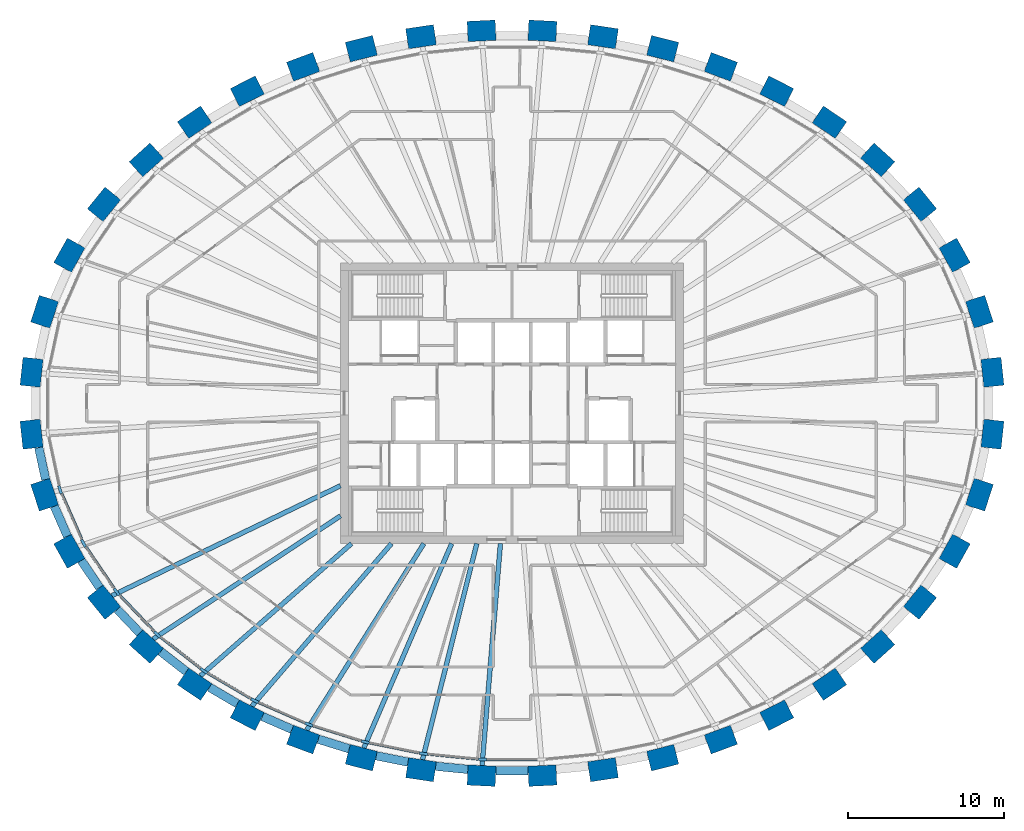
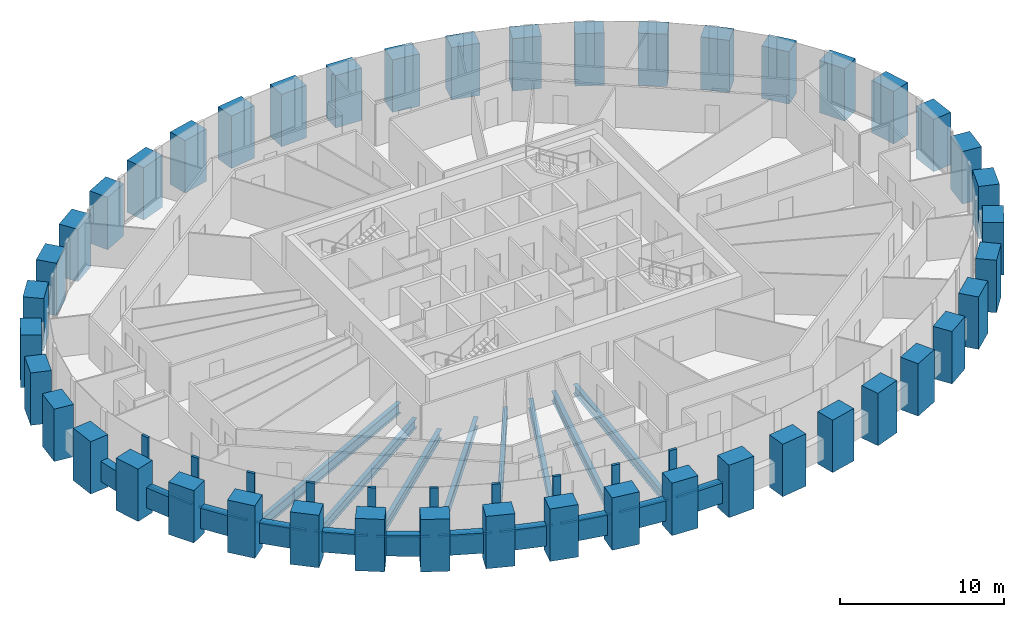
# One storey, part 1 of 12: 44 columns, 20 members, 19 beams, 1 element without a shape of its own.
"""IFC4 building model written with IfcOpenShell, lengths in metres."""

from ifc_helpers import new_model, si_unit, direction, frame, origin, origin_2d, place, context, subcontext, project, spatial, rectangle, i_section, extrude, source, transform, mapped, material, material_profile, profile_set, type_object, element, aggregate, save


model = new_model("IFC4")

# Units and contexts
model_context = context("Model", 3, precision=1e-05, world=origin(), true_north=direction((0.0, 1.0)))
body_context = subcontext(model_context, "Body", "Model", "MODEL_VIEW")
ifc_project = project(units=[si_unit("LENGTHUNIT", "METRE"), si_unit("AREAUNIT", "SQUARE_METRE"), si_unit("VOLUMEUNIT", "CUBIC_METRE"), si_unit("PLANEANGLEUNIT", "RADIAN"), si_unit("MASSUNIT", "GRAM", prefix="KILO")], contexts=[model_context])

# Site, building, storey
site_placement = place(None, origin())
site = spatial("IfcSite", under=ifc_project, at=site_placement, CompositionType="ELEMENT")
building_placement = place(site_placement, origin())
building = spatial("IfcBuilding", under=site, at=building_placement, Name="Embergate Tower", CompositionType="ELEMENT")
storey_placement = place(building_placement, frame((0.0, 0.0, 293.5)))
storey = spatial("IfcBuildingStorey", under=building, at=storey_placement, Name="L68", CompositionType="ELEMENT", Elevation=293.5)

# Columns
ifc_material_1 = material(Name="Concrete C50", Category="concrete")
ifc_material_profile_1 = material_profile(ifc_material_1, rectangle(XDim=1.300048828125, YDim=1.800048828125, at=origin_2d()), Name="RC 1300x1800")
ifc_profile_set_1 = profile_set([ifc_material_profile_1], Name="Concrete C50")
column_type = type_object("IfcColumnType", Name="Ring column RC 1300x1800 C50", PredefinedType="COLUMN", material=ifc_profile_set_1)
shared_shape_1 = source(origin(), body_context, "Body", "SweptSolid", [
    extrude(rectangle(XDim=1.300048828125, YDim=1.800048828125, at=origin_2d()), origin(), (0.0, 0.0, 1.0), 3.89990234375),
])
for number, where, z_axis, x_axis, name in (
    (1, (30.80908203125, 1.985107421875, -1.39990234375), (0.0, 0.0, 1.0), (0.99428589498, 0.106749983816, 0.0), "COL-L68-00"),
    (2, (29.97412109375, 5.864013671875, -1.39990234375), (0.0, 0.0, 1.0), (0.950754033697, 0.309946394413, 0.0), "COL-L68-01"),
    (3, (28.384033203125, 9.489990234375, -1.39990234375), (0.0, 0.0, 1.0), (0.873500465855, 0.486823311018, 0.0), "COL-L68-02"),
    (4, (26.1640625, 12.7548828125, -1.39990234375), (0.0, 0.0, 1.0), (0.775925311702, 0.630824786022, 0.0), "COL-L68-03"),
    (5, (23.447998046875, 15.60302734375, -1.39990234375), (0.0, 0.0, 1.0), (0.669221393633, 0.743063070206, 0.0), "COL-L68-04"),
    (6, (20.35302734375, 18.01904296875, -1.39990234375), (0.0, 0.0, 1.0), (0.560393279442, 0.828226643109, 0.0), "COL-L68-05"),
    (7, (16.97607421875, 20.0048828125, -1.39990234375), (0.0, 0.0, 1.0), (0.453010512651, 0.891505174089, 0.0), "COL-L68-06"),
    (8, (13.39208984375, 21.572021484375, -1.39990234375), (0.0, 0.0, 1.0), (0.348343015724, 0.93736713373, 0.0), "COL-L68-07"),
    (9, (9.662109375, 22.73388671875, -1.39990234375), (0.0, 0.0, 1.0), (0.24650851817, 0.969140624713, 0.0), "COL-L68-08"),
    (10, (5.833984375, 23.501953125, -1.39990234375), (0.0, 0.0, 1.0), (0.146929011949, 0.989147039346, 0.0), "COL-L68-09"),
    (11, (1.950927734375, 23.883056640625, -1.39990234375), (0.0, 0.0, 1.0), (0.048814904854, 0.998807841912, 0.0), "COL-L68-10"),
    (12, (-1.950927734375, 23.883056640625, -1.39990234375), (0.0, 0.0, 1.0), (-0.048814904854, 0.998807841912, 0.0), "COL-L68-11"),
    (13, (-5.833984375, 23.501953125, -1.39990234375), (0.0, 0.0, 1.0), (-0.146929011949, 0.989147039346, 0.0), "COL-L68-12"),
    (14, (-9.662109375, 22.73388671875, -1.39990234375), (0.0, 0.0, 1.0), (-0.24650851817, 0.969140624713, 0.0), "COL-L68-13"),
    (15, (-13.39208984375, 21.572021484375, -1.39990234375), (0.0, 0.0, 1.0), (-0.348343015724, 0.93736713373, 0.0), "COL-L68-14"),
    (16, (-16.97607421875, 20.0048828125, -1.39990234375), (0.0, 0.0, 1.0), (-0.453010512651, 0.891505174089, 0.0), "COL-L68-15"),
    (17, (-20.35302734375, 18.01904296875, -1.39990234375), (0.0, 0.0, 1.0), (-0.560393279442, 0.828226643109, 0.0), "COL-L68-16"),
    (18, (-23.447998046875, 15.60302734375, -1.39990234375), (0.0, 0.0, 1.0), (-0.669221393633, 0.743063070206, 0.0), "COL-L68-17"),
    (19, (-26.1640625, 12.7548828125, -1.39990234375), (0.0, 0.0, 1.0), (-0.775925311702, 0.630824786022, 0.0), "COL-L68-18"),
    (20, (-28.384033203125, 9.489990234375, -1.39990234375), (0.0, 0.0, 1.0), (-0.873500465855, 0.486823311018, 0.0), "COL-L68-19"),
    (21, (-29.97412109375, 5.864013671875, -1.39990234375), (0.0, 0.0, 1.0), (-0.950754033697, 0.309946394413, 0.0), "COL-L68-20"),
    (22, (-30.80908203125, 1.985107421875, -1.39990234375), (0.0, 0.0, 1.0), (-0.99428589498, 0.106749983816, 0.0), "COL-L68-21"),
    (23, (-30.80908203125, -1.985107421875, -1.39990234375), (0.0, 0.0, 1.0), (-0.99428589498, -0.106749983816, 0.0), "COL-L68-22"),
    (24, (-29.97412109375, -5.864013671875, -1.39990234375), (0.0, 0.0, 1.0), (-0.950754033697, -0.309946394413, 0.0), "COL-L68-23"),
    (25, (-28.384033203125, -9.489990234375, -1.39990234375), (0.0, 0.0, 1.0), (-0.873500465855, -0.486823311018, 0.0), "COL-L68-24"),
    (26, (-26.1640625, -12.7548828125, -1.39990234375), (0.0, 0.0, 1.0), (-0.775925311702, -0.630824786022, 0.0), "COL-L68-25"),
    (27, (-23.447998046875, -15.60302734375, -1.39990234375), (0.0, 0.0, 1.0), (-0.669221393633, -0.743063070206, 0.0), "COL-L68-26"),
    (28, (-20.35302734375, -18.01904296875, -1.39990234375), (0.0, 0.0, 1.0), (-0.560393279442, -0.828226643109, 0.0), "COL-L68-27"),
    (29, (-16.97607421875, -20.0048828125, -1.39990234375), (0.0, 0.0, 1.0), (-0.453010512651, -0.891505174089, 0.0), "COL-L68-28"),
    (30, (-13.39208984375, -21.572021484375, -1.39990234375), (0.0, 0.0, 1.0), (-0.348343015724, -0.93736713373, 0.0), "COL-L68-29"),
    (31, (-9.662109375, -22.73388671875, -1.39990234375), (0.0, 0.0, 1.0), (-0.24650851817, -0.969140624713, 0.0), "COL-L68-30"),
    (32, (-5.833984375, -23.501953125, -1.39990234375), (0.0, 0.0, 1.0), (-0.146929011949, -0.989147039346, 0.0), "COL-L68-31"),
    (33, (-1.950927734375, -23.883056640625, -1.39990234375), (0.0, 0.0, 1.0), (-0.048814904854, -0.998807841912, 0.0), "COL-L68-32"),
    (34, (1.950927734375, -23.883056640625, -1.39990234375), (0.0, 0.0, 1.0), (0.048814904854, -0.998807841912, 0.0), "COL-L68-33"),
    (35, (5.833984375, -23.501953125, -1.39990234375), (0.0, 0.0, 1.0), (0.146929011949, -0.989147039346, 0.0), "COL-L68-34"),
    (36, (9.662109375, -22.73388671875, -1.39990234375), (0.0, 0.0, 1.0), (0.24650851817, -0.969140624713, 0.0), "COL-L68-35"),
    (37, (13.39208984375, -21.572021484375, -1.39990234375), (0.0, 0.0, 1.0), (0.348343015724, -0.93736713373, 0.0), "COL-L68-36"),
    (38, (16.97607421875, -20.0048828125, -1.39990234375), (0.0, 0.0, 1.0), (0.453010512651, -0.891505174089, 0.0), "COL-L68-37"),
    (39, (20.35302734375, -18.01904296875, -1.39990234375), (0.0, 0.0, 1.0), (0.560393279442, -0.828226643109, 0.0), "COL-L68-38"),
    (40, (23.447998046875, -15.60302734375, -1.39990234375), (0.0, 0.0, 1.0), (0.669221393633, -0.743063070206, 0.0), "COL-L68-39"),
    (41, (26.1640625, -12.7548828125, -1.39990234375), (0.0, 0.0, 1.0), (0.775925311702, -0.630824786022, 0.0), "COL-L68-40"),
    (42, (28.384033203125, -9.489990234375, -1.39990234375), (0.0, 0.0, 1.0), (0.873500465855, -0.486823311018, 0.0), "COL-L68-41"),
    (43, (29.97412109375, -5.864013671875, -1.39990234375), (0.0, 0.0, 1.0), (0.950754033697, -0.309946394413, 0.0), "COL-L68-42"),
    (44, (30.80908203125, -1.985107421875, -1.39990234375), (0.0, 0.0, 1.0), (0.99428589498, -0.106749983816, 0.0), "COL-L68-43"),
):
    element("IfcColumn", number, at=place(storey_placement, frame(where, z_axis=z_axis, x_axis=x_axis)), inside=storey, type_object=column_type, Name=name, PredefinedType="COLUMN", context=body_context, shape_type="MappedRepresentation", body=[
        mapped(shared_shape_1, transform((0.0, 0.0, 0.0))),
    ])

# Beams
ifc_material_2 = material(Name="Steel Q355B", Category="steel")
ifc_material_profile_2 = material_profile(ifc_material_2, i_section(OverallWidth=0.300048828125, OverallDepth=0.699951171875, WebThickness=0.012939453125, FlangeThickness=0.02392578125, FilletRadius=0.01806640625, at=origin_2d()), Name="HN 700x300x13x24")
ifc_profile_set_2 = profile_set([ifc_material_profile_2], Name="Steel Q355 grade B")
beam_type_1 = type_object("IfcBeamType", Name="Radial girder HN 700x300x13x24", PredefinedType="BEAM", material=ifc_profile_set_2)
shared_shape_2 = source(origin(), body_context, "Body", "SweptSolid", [
    extrude(i_section(OverallWidth=0.300048828125, OverallDepth=0.699951171875, WebThickness=0.012939453125, FlangeThickness=0.02392578125, FilletRadius=0.01806640625, at=origin_2d()), origin(), (0.0, 0.0, 1.0), 13.742431640625),
])
beam_1_placement = place(storey_placement, frame((-16.681884765625, -19.426025390625, -0.550048828125), z_axis=(0.651474345674, 0.758670664339, 0.0), x_axis=(-0.758670664339, 0.651474345674, 0.0)))
element("IfcBeam", 45, at=beam_1_placement, inside=storey, type_object=beam_type_1, Name="GIR-L68-28", PredefinedType="BEAM", context=body_context, shape_type="MappedRepresentation", body=[
    mapped(shared_shape_2, transform((0.0, 0.0, 0.0))),
])
ifc_material_profile_3 = material_profile(ifc_material_1, rectangle(XDim=0.550048828125, YDim=1.5, at=origin_2d()), Name="RC 550x1500")
ifc_profile_set_3 = profile_set([ifc_material_profile_3], Name="Concrete C50")
beam_type_2 = type_object("IfcBeamType", Name="Spandrel beam RC 550x1500 C50", PredefinedType="BEAM", material=ifc_profile_set_3)
shared_shape_3 = source(origin(), body_context, "Body", "SweptSolid", [
    extrude(rectangle(XDim=0.550048828125, YDim=1.5, at=origin_2d()), origin(), (0.0, 0.0, 1.0), 2.10107421875),
])
beam_2_placement = place(storey_placement, frame((-30.346923828125, -2.841064453125, 0.0), z_axis=(0.210330547493, -0.977630329312, 0.0), x_axis=(0.977630329312, 0.210330547493, 0.0)))
element("IfcBeam", 46, at=beam_2_placement, inside=storey, type_object=beam_type_2, Name="SPN-L68-22", PredefinedType="BEAM", context=body_context, shape_type="MappedRepresentation", body=[
    mapped(shared_shape_3, transform((0.0, 0.0, 0.0))),
])
shared_shape_4 = source(origin(), body_context, "Body", "SweptSolid", [
    extrude(rectangle(XDim=0.550048828125, YDim=1.5, at=origin_2d()), origin(), (0.0, 0.0, 1.0), 2.097900390625),
])
beam_3_placement = place(storey_placement, frame((-29.35107421875, -6.60791015625, 0.0), z_axis=(0.401825860592, -0.91571610107, 0.0), x_axis=(0.91571610107, 0.401825860592, 0.0)))
element("IfcBeam", 47, at=beam_3_placement, inside=storey, type_object=beam_type_2, Name="SPN-L68-23", PredefinedType="BEAM", context=body_context, shape_type="MappedRepresentation", body=[
    mapped(shared_shape_4, transform((0.0, 0.0, 0.0))),
])
shared_shape_5 = source(origin(), body_context, "Body", "SweptSolid", [
    extrude(rectangle(XDim=0.550048828125, YDim=1.5, at=origin_2d()), origin(), (0.0, 0.0, 1.0), 2.09033203125),
])
beam_4_placement = place(storey_placement, frame((-27.618896484375, -10.093994140625, 0.0), z_axis=(0.562009695033, -0.827130644269, 0.0), x_axis=(0.827130644269, 0.562009695033, 0.0)))
element("IfcBeam", 48, at=beam_4_placement, inside=storey, type_object=beam_type_2, Name="SPN-L68-24", PredefinedType="BEAM", context=body_context, shape_type="MappedRepresentation", body=[
    mapped(shared_shape_5, transform((0.0, 0.0, 0.0))),
])
shared_shape_6 = source(origin(), body_context, "Body", "SweptSolid", [
    extrude(rectangle(XDim=0.550048828125, YDim=1.5, at=origin_2d()), origin(), (0.0, 0.0, 1.0), 2.08447265625),
])
beam_5_placement = place(storey_placement, frame((-25.31298828125, -13.222900390625, 0.0), z_axis=(0.690339235394, -0.72348582576, 0.0), x_axis=(0.72348582576, 0.690339235394, 0.0)))
element("IfcBeam", 49, at=beam_5_placement, inside=storey, type_object=beam_type_2, Name="SPN-L68-25", PredefinedType="BEAM", context=body_context, shape_type="MappedRepresentation", body=[
    mapped(shared_shape_6, transform((0.0, 0.0, 0.0))),
])
shared_shape_7 = source(origin(), body_context, "Body", "SweptSolid", [
    extrude(rectangle(XDim=0.550048828125, YDim=1.5, at=origin_2d()), origin(), (0.0, 0.0, 1.0), 2.0791015625),
])
beam_6_placement = place(storey_placement, frame((-22.527099609375, -15.925048828125, 0.0), z_axis=(0.788383845435, -0.615183641084, 0.0), x_axis=(0.615183641084, 0.788383845435, 0.0)))
element("IfcBeam", 50, at=beam_6_placement, inside=storey, type_object=beam_type_2, Name="SPN-L68-26", PredefinedType="BEAM", context=body_context, shape_type="MappedRepresentation", body=[
    mapped(shared_shape_7, transform((0.0, 0.0, 0.0))),
])
shared_shape_8 = source(origin(), body_context, "Body", "SweptSolid", [
    extrude(rectangle(XDim=0.550048828125, YDim=1.5, at=origin_2d()), origin(), (0.0, 0.0, 1.0), 2.074462890625),
])
beam_7_placement = place(storey_placement, frame((-19.39892578125, -18.216064453125, 0.0), z_axis=(0.861864620017, -0.507138419726, 0.0), x_axis=(0.507138419726, 0.861864620017, 0.0)))
element("IfcBeam", 51, at=beam_7_placement, inside=storey, type_object=beam_type_2, Name="SPN-L68-27", PredefinedType="BEAM", context=body_context, shape_type="MappedRepresentation", body=[
    mapped(shared_shape_8, transform((0.0, 0.0, 0.0))),
])
shared_shape_9 = source(origin(), body_context, "Body", "SweptSolid", [
    extrude(rectangle(XDim=0.550048828125, YDim=1.5, at=origin_2d()), origin(), (0.0, 0.0, 1.0), 2.073486328125),
])
beam_8_placement = place(storey_placement, frame((-16.008056640625, -20.0859375, 0.0), z_axis=(0.91637608024, -0.400318472673, 0.0), x_axis=(0.400318472673, 0.91637608024, 0.0)))
element("IfcBeam", 52, at=beam_8_placement, inside=storey, type_object=beam_type_2, Name="SPN-L68-28", PredefinedType="BEAM", context=body_context, shape_type="MappedRepresentation", body=[
    mapped(shared_shape_9, transform((0.0, 0.0, 0.0))),
])
shared_shape_10 = source(origin(), body_context, "Body", "SweptSolid", [
    extrude(rectangle(XDim=0.550048828125, YDim=1.5, at=origin_2d()), origin(), (0.0, 0.0, 1.0), 2.07080078125),
])
beam_9_placement = place(storey_placement, frame((-12.422119140625, -21.544921875, 0.0), z_axis=(0.954735561173, -0.297455892917, 0.0), x_axis=(0.297455892917, 0.954735561173, 0.0)))
element("IfcBeam", 53, at=beam_9_placement, inside=storey, type_object=beam_type_2, Name="SPN-L68-29", PredefinedType="BEAM", context=body_context, shape_type="MappedRepresentation", body=[
    mapped(shared_shape_10, transform((0.0, 0.0, 0.0))),
])
shared_shape_11 = source(origin(), body_context, "Body", "SweptSolid", [
    extrude(rectangle(XDim=0.550048828125, YDim=1.5, at=origin_2d()), origin(), (0.0, 0.0, 1.0), 2.070556640625),
])
beam_10_placement = place(storey_placement, frame((-8.700927734375, -22.60595703125, 0.0), z_axis=(0.980398860457, -0.197023030165, 0.0), x_axis=(0.197023030165, 0.980398860457, 0.0)))
element("IfcBeam", 54, at=beam_10_placement, inside=storey, type_object=beam_type_2, Name="SPN-L68-30", PredefinedType="BEAM", context=body_context, shape_type="MappedRepresentation", body=[
    mapped(shared_shape_11, transform((0.0, 0.0, 0.0))),
])
shared_shape_12 = source(origin(), body_context, "Body", "SweptSolid", [
    extrude(rectangle(XDim=0.550048828125, YDim=1.5, at=origin_2d()), origin(), (0.0, 0.0, 1.0), 2.06884765625),
])
beam_11_placement = place(storey_placement, frame((-4.89111328125, -23.279052734375, 0.0), z_axis=(0.995226952233, -0.097587466149, 0.0), x_axis=(0.097587466149, 0.995226952233, 0.0)))
element("IfcBeam", 55, at=beam_11_placement, inside=storey, type_object=beam_type_2, Name="SPN-L68-31", PredefinedType="BEAM", context=body_context, shape_type="MappedRepresentation", body=[
    mapped(shared_shape_12, transform((0.0, 0.0, 0.0))),
])
shared_shape_13 = source(origin(), body_context, "Body", "SweptSolid", [
    extrude(rectangle(XDim=0.550048828125, YDim=1.5, at=origin_2d()), origin(), (0.0, 0.0, 1.0), 2.06982421875),
])
beam_12_placement = place(storey_placement, frame((-1.034912109375, -23.569091796875, 0.0), z_axis=(1.0, 0.0, 0.0), x_axis=(0.0, 1.0, 0.0)))
element("IfcBeam", 56, at=beam_12_placement, inside=storey, type_object=beam_type_2, Name="SPN-L68-32", PredefinedType="BEAM", context=body_context, shape_type="MappedRepresentation", body=[
    mapped(shared_shape_13, transform((0.0, 0.0, 0.0))),
])
ifc_material_profile_4 = material_profile(ifc_material_2, i_section(OverallWidth=0.300048828125, OverallDepth=0.800048828125, WebThickness=0.013916015625, FlangeThickness=0.02587890625, FilletRadius=0.028076171875, at=origin_2d()), Name="HN 800x300x14x26")
ifc_profile_set_4 = profile_set([ifc_material_profile_4], Name="Steel Q355 grade B")
beam_type_3 = type_object("IfcBeamType", Name="Radial girder HN 800x300x14x26", PredefinedType="BEAM", material=ifc_profile_set_4)
shared_shape_14 = source(origin(), body_context, "Body", "SweptSolid", [
    extrude(i_section(OverallWidth=0.300048828125, OverallDepth=0.800048828125, WebThickness=0.013916015625, FlangeThickness=0.02587890625, FilletRadius=0.028076171875, at=origin_2d()), origin(), (0.0, 0.0, 1.0), 16.268310546875),
])
beam_13_placement = place(storey_placement, frame((-25.659912109375, -12.344970703125, -0.60009765625), z_axis=(0.901133717561, 0.433541258791, 0.0), x_axis=(-0.433541258791, 0.901133717561, 0.0)))
element("IfcBeam", 57, at=beam_13_placement, inside=storey, type_object=beam_type_3, Name="GIR-L68-25", PredefinedType="BEAM", context=body_context, shape_type="MappedRepresentation", body=[
    mapped(shared_shape_14, transform((0.0, 0.0, 0.0))),
])
shared_shape_15 = source(origin(), body_context, "Body", "SweptSolid", [
    extrude(i_section(OverallWidth=0.300048828125, OverallDepth=0.699951171875, WebThickness=0.012939453125, FlangeThickness=0.02392578125, FilletRadius=0.01806640625, at=origin_2d()), origin(), (0.0, 0.0, 1.0), 14.3740234375),
])
beam_14_placement = place(storey_placement, frame((-23.012939453125, -15.1201171875, -0.550048828125), z_axis=(0.835742226811, 0.549121963069, 0.0), x_axis=(-0.549121963069, 0.835742226811, 0.0)))
element("IfcBeam", 58, at=beam_14_placement, inside=storey, type_object=beam_type_1, Name="GIR-L68-26", PredefinedType="BEAM", context=body_context, shape_type="MappedRepresentation", body=[
    mapped(shared_shape_15, transform((0.0, 0.0, 0.0))),
])
shared_shape_16 = source(origin(), body_context, "Body", "SweptSolid", [
    extrude(i_section(OverallWidth=0.300048828125, OverallDepth=0.699951171875, WebThickness=0.012939453125, FlangeThickness=0.02392578125, FilletRadius=0.01806640625, at=origin_2d()), origin(), (0.0, 0.0, 1.0), 12.88330078125),
])
beam_15_placement = place(storey_placement, frame((-19.989013671875, -17.48095703125, -0.550048828125), z_axis=(0.752760969036, 0.658293949157, 0.0), x_axis=(-0.658293949157, 0.752760969036, 0.0)))
element("IfcBeam", 59, at=beam_15_placement, inside=storey, type_object=beam_type_1, Name="GIR-L68-27", PredefinedType="BEAM", context=body_context, shape_type="MappedRepresentation", body=[
    mapped(shared_shape_16, transform((0.0, 0.0, 0.0))),
])
shared_shape_17 = source(origin(), body_context, "Body", "SweptSolid", [
    extrude(i_section(OverallWidth=0.300048828125, OverallDepth=0.699951171875, WebThickness=0.012939453125, FlangeThickness=0.02392578125, FilletRadius=0.01806640625, at=origin_2d()), origin(), (0.0, 0.0, 1.0), 14.126953125),
])
beam_16_placement = place(storey_placement, frame((-13.166015625, -20.962890625, -0.550048828125), z_axis=(0.531886600535, 0.846815590416, 0.0), x_axis=(-0.846815590416, 0.531886600535, 0.0)))
element("IfcBeam", 60, at=beam_16_placement, inside=storey, type_object=beam_type_1, Name="GIR-L68-29", PredefinedType="BEAM", context=body_context, shape_type="MappedRepresentation", body=[
    mapped(shared_shape_17, transform((0.0, 0.0, 0.0))),
])
shared_shape_18 = source(origin(), body_context, "Body", "SweptSolid", [
    extrude(i_section(OverallWidth=0.300048828125, OverallDepth=0.699951171875, WebThickness=0.012939453125, FlangeThickness=0.02392578125, FilletRadius=0.01806640625, at=origin_2d()), origin(), (0.0, 0.0, 1.0), 14.263427734375),
])
beam_17_placement = place(storey_placement, frame((-9.501953125, -22.10400390625, -0.550048828125), z_axis=(0.394929229866, 0.918711545262, 0.0), x_axis=(-0.918711545262, 0.394929229866, 0.0)))
element("IfcBeam", 61, at=beam_17_placement, inside=storey, type_object=beam_type_1, Name="GIR-L68-30", PredefinedType="BEAM", context=body_context, shape_type="MappedRepresentation", body=[
    mapped(shared_shape_18, transform((0.0, 0.0, 0.0))),
])
shared_shape_19 = source(origin(), body_context, "Body", "SweptSolid", [
    extrude(i_section(OverallWidth=0.300048828125, OverallDepth=0.699951171875, WebThickness=0.012939453125, FlangeThickness=0.02392578125, FilletRadius=0.01806640625, at=origin_2d()), origin(), (0.0, 0.0, 1.0), 14.288818359375),
])
beam_18_placement = place(storey_placement, frame((-5.738037109375, -22.85888671875, -0.550048828125), z_axis=(0.243476248961, 0.969906859545, 0.0), x_axis=(-0.969906859545, 0.243476248961, 0.0)))
element("IfcBeam", 62, at=beam_18_placement, inside=storey, type_object=beam_type_1, Name="GIR-L68-31", PredefinedType="BEAM", context=body_context, shape_type="MappedRepresentation", body=[
    mapped(shared_shape_19, transform((0.0, 0.0, 0.0))),
])
shared_shape_20 = source(origin(), body_context, "Body", "SweptSolid", [
    extrude(i_section(OverallWidth=0.300048828125, OverallDepth=0.699951171875, WebThickness=0.012939453125, FlangeThickness=0.02392578125, FilletRadius=0.01806640625, at=origin_2d()), origin(), (0.0, 0.0, 1.0), 14.282470703125),
])
beam_19_placement = place(storey_placement, frame((-1.9189453125, -23.23388671875, -0.550048828125), z_axis=(0.082340957712, 0.996604217673, 0.0), x_axis=(-0.996604217673, 0.082340957712, 0.0)))
element("IfcBeam", 63, at=beam_19_placement, inside=storey, type_object=beam_type_1, Name="GIR-L68-32", PredefinedType="BEAM", context=body_context, shape_type="MappedRepresentation", body=[
    mapped(shared_shape_20, transform((0.0, 0.0, 0.0))),
])

# Curtain wall, members
ifc_material_3 = material(Name="Aluminium and glass", Category="aluminium")
curtain_wall_type = type_object("IfcCurtainWallType", Name="Recessed office glazing", PredefinedType="NOTDEFINED", material=ifc_material_3)
curtain_wall_placement = place(storey_placement, origin())
curtain_wall = element("IfcCurtainWall", 64, at=curtain_wall_placement, inside=storey, type_object=curtain_wall_type, Name="Recessed office glazing ring", ObjectType="RECESSED OFFICE GLAZING", PredefinedType="USERDEFINED")
ifc_material_4 = material(Name="Aluminium, thermally broken", Category="aluminium")
ifc_material_profile_5 = material_profile(ifc_material_4, rectangle(XDim=0.179931640625, YDim=0.52001953125, at=origin_2d()), Name="AL 520x180")
ifc_profile_set_5 = profile_set([ifc_material_profile_5], Name="Aluminium, thermally broken")
member_type_1 = type_object("IfcMemberType", Name="Office mullion", PredefinedType="MULLION", material=ifc_profile_set_5)
shared_shape_21 = source(origin(), body_context, "Body", "SweptSolid", [
    extrude(rectangle(XDim=0.179931640625, YDim=0.52001953125, at=origin_2d()), origin(), (0.0, 0.0, 1.0), 3.699951171875),
])
member_1_placement = place(storey_placement, frame((-28.985107421875, -5.5419921875, 0.0), z_axis=(0.0, 0.0, 1.0), x_axis=(0.951493502218, 0.307668840212, 0.0)))
member_1 = element("IfcMember", 65, at=member_1_placement, type_object=member_type_1, Name="CW mullion 24", PredefinedType="MULLION", context=body_context, shape_type="MappedRepresentation", body=[
    mapped(shared_shape_21, transform((0.0, 0.0, 0.0))),
])
member_2_placement = place(storey_placement, frame((-27.4755859375, -8.983642578125, 0.0), z_axis=(0.0, 0.0, 1.0), x_axis=(0.87499344622, 0.484134763338, 0.0)))
member_2 = element("IfcMember", 66, at=member_2_placement, type_object=member_type_1, Name="CW mullion 25", PredefinedType="MULLION", context=body_context, shape_type="MappedRepresentation", body=[
    mapped(shared_shape_21, transform((0.0, 0.0, 0.0))),
])
member_3_placement = place(storey_placement, frame((-25.357421875, -12.098388671875, 0.0), z_axis=(0.0, 0.0, 1.0), x_axis=(0.777863789852, 0.628432911643, 0.0)))
member_3 = element("IfcMember", 67, at=member_3_placement, type_object=member_type_1, Name="CW mullion 26", PredefinedType="MULLION", context=body_context, shape_type="MappedRepresentation", body=[
    mapped(shared_shape_21, transform((0.0, 0.0, 0.0))),
])
member_4_placement = place(storey_placement, frame((-22.752197265625, -14.83056640625, 0.0), z_axis=(0.0, 0.0, 1.0), x_axis=(0.671220065284, 0.741258135847, 0.0)))
member_4 = element("IfcMember", 68, at=member_4_placement, type_object=member_type_1, Name="CW mullion 27", PredefinedType="MULLION", context=body_context, shape_type="MappedRepresentation", body=[
    mapped(shared_shape_21, transform((0.0, 0.0, 0.0))),
])
member_5_placement = place(storey_placement, frame((-19.770263671875, -17.15771484375, 0.0), z_axis=(0.0, 0.0, 1.0), x_axis=(0.562211845055, 0.826993253467, 0.0)))
member_5 = element("IfcMember", 69, at=member_5_placement, type_object=member_type_1, Name="CW mullion 28", PredefinedType="MULLION", context=body_context, shape_type="MappedRepresentation", body=[
    mapped(shared_shape_21, transform((0.0, 0.0, 0.0))),
])
member_6_placement = place(storey_placement, frame((-16.504638671875, -19.077880859375, 0.0), z_axis=(0.0, 0.0, 1.0), x_axis=(0.454508271251, 0.890742516872, 0.0)))
member_6 = element("IfcMember", 70, at=member_6_placement, type_object=member_type_1, Name="CW mullion 29", PredefinedType="MULLION", context=body_context, shape_type="MappedRepresentation", body=[
    mapped(shared_shape_21, transform((0.0, 0.0, 0.0))),
])
member_7_placement = place(storey_placement, frame((-13.029541015625, -20.597412109375, 0.0), z_axis=(0.0, 0.0, 1.0), x_axis=(0.349501047589, 0.936935973124, 0.0)))
member_7 = element("IfcMember", 71, at=member_7_placement, type_object=member_type_1, Name="CW mullion 30", PredefinedType="MULLION", context=body_context, shape_type="MappedRepresentation", body=[
    mapped(shared_shape_21, transform((0.0, 0.0, 0.0))),
])
member_8_placement = place(storey_placement, frame((-9.405029296875, -21.72607421875, 0.0), z_axis=(0.0, 0.0, 1.0), x_axis=(0.24731188137, 0.968935928394, 0.0)))
member_8 = element("IfcMember", 72, at=member_8_placement, type_object=member_type_1, Name="CW mullion 31", PredefinedType="MULLION", context=body_context, shape_type="MappedRepresentation", body=[
    mapped(shared_shape_21, transform((0.0, 0.0, 0.0))),
])
member_9_placement = place(storey_placement, frame((-5.68115234375, -22.472900390625, 0.0), z_axis=(0.0, 0.0, 1.0), x_axis=(0.147412382818, 0.989075118174, 0.0)))
member_9 = element("IfcMember", 73, at=member_9_placement, type_object=member_type_1, Name="CW mullion 32", PredefinedType="MULLION", context=body_context, shape_type="MappedRepresentation", body=[
    mapped(shared_shape_21, transform((0.0, 0.0, 0.0))),
])
member_10_placement = place(storey_placement, frame((-1.89990234375, -22.844482421875, 0.0), z_axis=(0.0, 0.0, 1.0), x_axis=(0.048971796621, 0.998800161762, 0.0)))
member_10 = element("IfcMember", 74, at=member_10_placement, type_object=member_type_1, Name="CW mullion 33", PredefinedType="MULLION", context=body_context, shape_type="MappedRepresentation", body=[
    mapped(shared_shape_21, transform((0.0, 0.0, 0.0))),
])
ifc_material_profile_6 = material_profile(ifc_material_4, rectangle(XDim=0.179931640625, YDim=0.14990234375, at=origin_2d()), Name="AL 150x180")
ifc_profile_set_6 = profile_set([ifc_material_profile_6], Name="Aluminium, thermally broken")
member_type_2 = type_object("IfcMemberType", Name="Office sill transom", PredefinedType="USERDEFINED", material=ifc_profile_set_6)
shared_shape_22 = source(origin(), body_context, "Body", "SweptSolid", [
    extrude(rectangle(XDim=0.179931640625, YDim=0.14990234375, at=origin_2d()), origin(), (0.0, 0.0, 1.0), 3.23828125),
])
member_11_placement = place(storey_placement, frame((-28.880859375, -5.780029296875, 0.074951171875), z_axis=(0.401684789579, -0.915777991557, 0.0), x_axis=(0.915777991557, 0.401684789579, 0.0)))
member_11 = element("IfcMember", 75, at=member_11_placement, type_object=member_type_2, Name="CW transom 24.1", ObjectType="TRANSOM", PredefinedType="USERDEFINED", context=body_context, shape_type="MappedRepresentation", body=[
    mapped(shared_shape_22, transform((0.0, 0.0, 0.0))),
])
shared_shape_23 = source(origin(), body_context, "Body", "SweptSolid", [
    extrude(rectangle(XDim=0.179931640625, YDim=0.14990234375, at=origin_2d()), origin(), (0.0, 0.0, 1.0), 3.246826171875),
])
member_12_placement = place(storey_placement, frame((-27.32958984375, -9.19873046875, 0.074951171875), z_axis=(0.562363493995, -0.826890138182, 0.0), x_axis=(0.826890138182, 0.562363493995, 0.0)))
member_12 = element("IfcMember", 76, at=member_12_placement, type_object=member_type_2, Name="CW transom 25.1", ObjectType="TRANSOM", PredefinedType="USERDEFINED", context=body_context, shape_type="MappedRepresentation", body=[
    mapped(shared_shape_23, transform((0.0, 0.0, 0.0))),
])
shared_shape_24 = source(origin(), body_context, "Body", "SweptSolid", [
    extrude(rectangle(XDim=0.179931640625, YDim=0.14990234375, at=origin_2d()), origin(), (0.0, 0.0, 1.0), 3.255126953125),
])
member_13_placement = place(storey_placement, frame((-25.177978515625, -12.28662109375, 0.074951171875), z_axis=(0.690106396673, -0.723707925389, 0.0), x_axis=(0.723707925389, 0.690106396673, 0.0)))
member_13 = element("IfcMember", 77, at=member_13_placement, type_object=member_type_2, Name="CW transom 26.1", ObjectType="TRANSOM", PredefinedType="USERDEFINED", context=body_context, shape_type="MappedRepresentation", body=[
    mapped(shared_shape_24, transform((0.0, 0.0, 0.0))),
])
shared_shape_25 = source(origin(), body_context, "Body", "SweptSolid", [
    extrude(rectangle(XDim=0.179931640625, YDim=0.14990234375, at=origin_2d()), origin(), (0.0, 0.0, 1.0), 3.262451171875),
])
member_14_placement = place(storey_placement, frame((-22.547119140625, -14.990478515625, 0.074951171875), z_axis=(0.788303389344, -0.615286735066, 0.0), x_axis=(0.615286735066, 0.788303389344, 0.0)))
member_14 = element("IfcMember", 78, at=member_14_placement, type_object=member_type_2, Name="CW transom 27.1", ObjectType="TRANSOM", PredefinedType="USERDEFINED", context=body_context, shape_type="MappedRepresentation", body=[
    mapped(shared_shape_25, transform((0.0, 0.0, 0.0))),
])
shared_shape_26 = source(origin(), body_context, "Body", "SweptSolid", [
    extrude(rectangle(XDim=0.179931640625, YDim=0.14990234375, at=origin_2d()), origin(), (0.0, 0.0, 1.0), 3.268310546875),
])
member_15_placement = place(storey_placement, frame((-19.546142578125, -17.28955078125, 0.074951171875), z_axis=(0.862039813646, -0.506840566342, 0.0), x_axis=(0.506840566342, 0.862039813646, 0.0)))
member_15 = element("IfcMember", 79, at=member_15_placement, type_object=member_type_2, Name="CW transom 28.1", ObjectType="TRANSOM", PredefinedType="USERDEFINED", context=body_context, shape_type="MappedRepresentation", body=[
    mapped(shared_shape_26, transform((0.0, 0.0, 0.0))),
])
shared_shape_27 = source(origin(), body_context, "Body", "SweptSolid", [
    extrude(rectangle(XDim=0.179931640625, YDim=0.14990234375, at=origin_2d()), origin(), (0.0, 0.0, 1.0), 3.27294921875),
])
member_16_placement = place(storey_placement, frame((-16.266357421875, -19.181884765625, 0.074951171875), z_axis=(0.91623435737, -0.400642736582, 0.0), x_axis=(0.400642736582, 0.91623435737, 0.0)))
member_16 = element("IfcMember", 80, at=member_16_placement, type_object=member_type_2, Name="CW transom 29.1", ObjectType="TRANSOM", PredefinedType="USERDEFINED", context=body_context, shape_type="MappedRepresentation", body=[
    mapped(shared_shape_27, transform((0.0, 0.0, 0.0))),
])
shared_shape_28 = source(origin(), body_context, "Body", "SweptSolid", [
    extrude(rectangle(XDim=0.179931640625, YDim=0.14990234375, at=origin_2d()), origin(), (0.0, 0.0, 1.0), 3.276123046875),
])
member_17_placement = place(storey_placement, frame((-12.78125, -20.674560546875, 0.074951171875), z_axis=(0.954771243255, -0.297341340976, 0.0), x_axis=(0.297341340976, 0.954771243255, 0.0)))
member_17 = element("IfcMember", 81, at=member_17_placement, type_object=member_type_2, Name="CW transom 30.1", ObjectType="TRANSOM", PredefinedType="USERDEFINED", context=body_context, shape_type="MappedRepresentation", body=[
    mapped(shared_shape_28, transform((0.0, 0.0, 0.0))),
])
shared_shape_29 = source(origin(), body_context, "Body", "SweptSolid", [
    extrude(rectangle(XDim=0.179931640625, YDim=0.14990234375, at=origin_2d()), origin(), (0.0, 0.0, 1.0), 3.278076171875),
])
member_18_placement = place(storey_placement, frame((-9.150146484375, -21.777099609375, 0.074951171875), z_axis=(0.98046593112, -0.196688987777, 0.0), x_axis=(0.196688987777, 0.98046593112, 0.0)))
member_18 = element("IfcMember", 82, at=member_18_placement, type_object=member_type_2, Name="CW transom 31.1", ObjectType="TRANSOM", PredefinedType="USERDEFINED", context=body_context, shape_type="MappedRepresentation", body=[
    mapped(shared_shape_29, transform((0.0, 0.0, 0.0))),
])
shared_shape_30 = source(origin(), body_context, "Body", "SweptSolid", [
    extrude(rectangle(XDim=0.179931640625, YDim=0.14990234375, at=origin_2d()), origin(), (0.0, 0.0, 1.0), 3.279296875),
])
member_19_placement = place(storey_placement, frame((-5.42236328125, -22.498291015625, 0.074951171875), z_axis=(0.995203828947, -0.097822997549, 0.0), x_axis=(0.097822997549, 0.995203828947, 0.0)))
member_19 = element("IfcMember", 83, at=member_19_placement, type_object=member_type_2, Name="CW transom 32.1", ObjectType="TRANSOM", PredefinedType="USERDEFINED", context=body_context, shape_type="MappedRepresentation", body=[
    mapped(shared_shape_30, transform((0.0, 0.0, 0.0))),
])
shared_shape_31 = source(origin(), body_context, "Body", "SweptSolid", [
    extrude(rectangle(XDim=0.179931640625, YDim=0.14990234375, at=origin_2d()), origin(), (0.0, 0.0, 1.0), 3.27978515625),
])
member_20_placement = place(storey_placement, frame((-1.639892578125, -22.844482421875, 0.074951171875), z_axis=(1.0, 0.0, 0.0), x_axis=(0.0, 1.0, 0.0)))
member_20 = element("IfcMember", 84, at=member_20_placement, type_object=member_type_2, Name="CW transom 33.1", ObjectType="TRANSOM", PredefinedType="USERDEFINED", context=body_context, shape_type="MappedRepresentation", body=[
    mapped(shared_shape_31, transform((0.0, 0.0, 0.0))),
])
aggregate(curtain_wall, [member_1, member_2, member_3, member_4, member_5, member_6, member_7, member_8, member_9, member_10, member_11, member_12, member_13, member_14, member_15, member_16, member_17, member_18, member_19, member_20])

save(model, "model.ifc")
